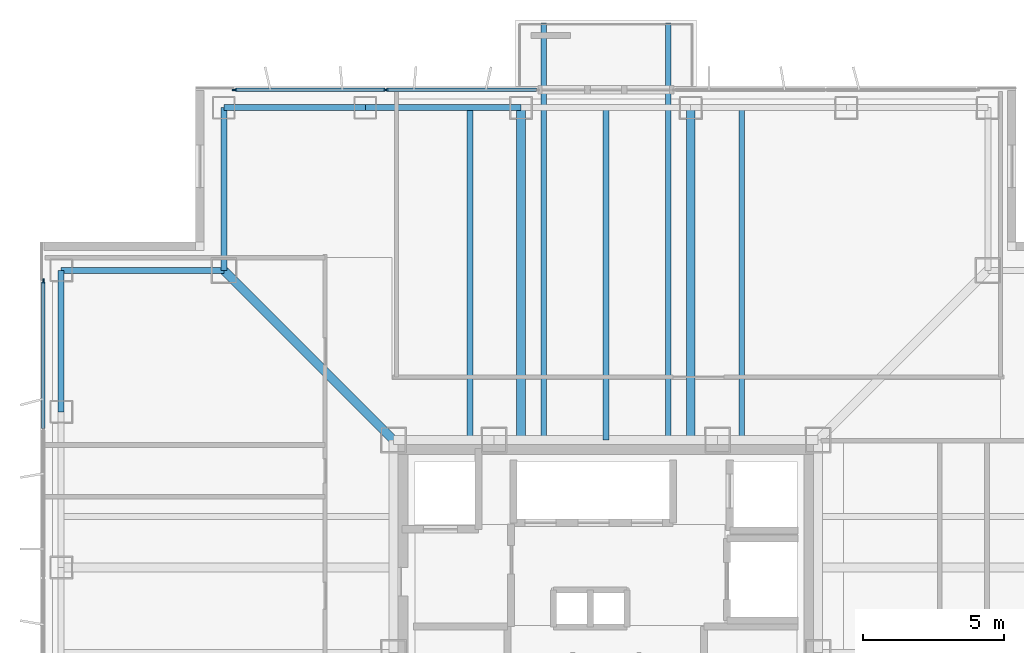
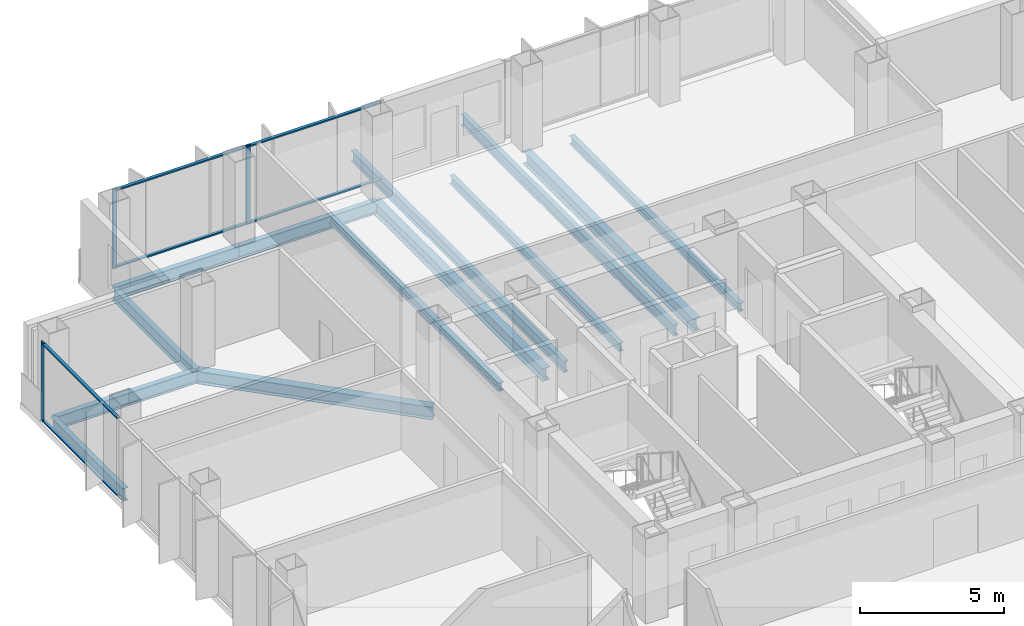
# One storey, part 6 of 13: 13 beams, 9 members, 2 elements without a shape of their own.
"""IFC4 building model written with IfcOpenShell, lengths in metres."""

from ifc_helpers import new_model, si_unit, direction, frame, origin, origin_2d, place, context, subcontext, project, spatial, rectangle, i_section, extrude, material, layer, layer_set, material_profile, profile_set, type_object, element, aggregate, save


model = new_model("IFC4")

# Units and contexts
model_context = context("Model", 3, precision=1e-05, world=origin(), true_north=direction((0.0, 1.0)))
body_context = subcontext(model_context, "Body", "Model", "MODEL_VIEW")
ifc_project = project(units=[si_unit("LENGTHUNIT", "METRE"), si_unit("AREAUNIT", "SQUARE_METRE"), si_unit("VOLUMEUNIT", "CUBIC_METRE"), si_unit("PLANEANGLEUNIT", "RADIAN"), si_unit("MASSUNIT", "GRAM", prefix="KILO")], contexts=[model_context])

# Site, building, storey
site_placement = place(None, origin())
site = spatial("IfcSite", under=ifc_project, at=site_placement, CompositionType="ELEMENT")
building_placement = place(site_placement, origin())
building = spatial("IfcBuilding", under=site, at=building_placement, Name="Trevonay Congress Spire", CompositionType="ELEMENT")
storey_placement = place(building_placement, frame((0.0, 0.0, 205.800048828125)))
storey = spatial("IfcBuildingStorey", under=building, at=storey_placement, Name="L53", CompositionType="ELEMENT", Elevation=205.800048828125)

# Beams
ifc_material_1 = material(Name="Steel ASTM A572 Grade 50", Category="steel")
ifc_material_profile_1 = material_profile(ifc_material_1, i_section(OverallWidth=0.194091796875, OverallDepth=0.468994140625, WebThickness=0.011474609375, FlangeThickness=0.01953125, FilletRadius=0.013916015625, at=origin_2d()), Name="W460x106")
ifc_profile_set_1 = profile_set([ifc_material_profile_1], Name="Steel ASTM A572 Grade 50")
beam_type_1 = type_object("IfcBeamType", Name="BM-BAL-LOOKOUT", PredefinedType="BEAM", material=ifc_profile_set_1)
for number, where, z_axis, x_axis, name in (
    (1, (-2.199951171875, 7.5, -0.474609375), (0.0, 1.0, 0.0), (-1.0, 0.0, 0.0), "L53 structural beam LKT-L53-N1"),
    (2, (2.199951171875, 7.5, -0.474609375), (0.0, 1.0, 0.0), (-1.0, 0.0, 0.0), "L53 structural beam LKT-L53-N2"),
):
    element("IfcBeam", number, at=place(storey_placement, frame(where, z_axis=z_axis, x_axis=x_axis)), inside=storey, type_object=beam_type_1, Name=name, PredefinedType="BEAM", context=body_context, shape_type="SweptSolid", body=[
        extrude(i_section(OverallWidth=0.194091796875, OverallDepth=0.468994140625, WebThickness=0.011474609375, FlangeThickness=0.01953125, FilletRadius=0.013916015625, at=origin_2d()), origin(), (0.0, 0.0, 1.0), 14.75),
    ])
ifc_material_profile_2 = material_profile(ifc_material_1, i_section(OverallWidth=0.31201171875, OverallDepth=0.54296875, WebThickness=0.0126953125, FlangeThickness=0.020263671875, FilletRadius=0.014892578125, at=origin_2d()), Name="W530x150")
ifc_profile_set_2 = profile_set([ifc_material_profile_2], Name="Steel ASTM A572 Grade 50")
beam_type_2 = type_object("IfcBeamType", Name="BM-GIRD-W530X150", PredefinedType="BEAM", material=ifc_profile_set_2)
beam_1_placement = place(storey_placement, frame((-7.5, 7.5, -0.511474609375), z_axis=(-0.707106781187, 0.707106781187, 0.0), x_axis=(-0.707106781187, -0.707106781187, 0.0)))
element("IfcBeam", 3, at=beam_1_placement, inside=storey, type_object=beam_type_2, Name="L53 structural beam BM-L53-CDNW", PredefinedType="BEAM", context=body_context, shape_type="SweptSolid", body=[
    extrude(i_section(OverallWidth=0.31201171875, OverallDepth=0.54296875, WebThickness=0.0126953125, FlangeThickness=0.020263671875, FilletRadius=0.014892578125, at=origin_2d()), origin(), (0.0, 0.0, 1.0), 8.4853515625),
])
for number, where, z_axis, x_axis, name in (
    (4, (-3.0, 7.5, -0.511474609375), (0.0, 1.0, 0.0), (-1.0, 0.0, 0.0), "L53 structural beam BM-L53-GN-M"),
    (5, (3.0, 7.5, -0.511474609375), (0.0, 1.0, 0.0), (-1.0, 0.0, 0.0), "L53 structural beam BM-L53-GN-P"),
):
    element("IfcBeam", number, at=place(storey_placement, frame(where, z_axis=z_axis, x_axis=x_axis)), inside=storey, type_object=beam_type_2, Name=name, PredefinedType="BEAM", context=body_context, shape_type="SweptSolid", body=[
        extrude(i_section(OverallWidth=0.31201171875, OverallDepth=0.54296875, WebThickness=0.0126953125, FlangeThickness=0.020263671875, FilletRadius=0.014892578125, at=origin_2d()), origin(), (0.0, 0.0, 1.0), 11.75),
    ])
ifc_material_profile_3 = material_profile(ifc_material_1, i_section(OverallWidth=0.2119140625, OverallDepth=0.5439453125, WebThickness=0.01318359375, FlangeThickness=0.021240234375, FilletRadius=0.014892578125, at=origin_2d()), Name="W530x123")
ifc_profile_set_3 = profile_set([ifc_material_profile_3], Name="Steel ASTM A572 Grade 50")
beam_type_3 = type_object("IfcBeamType", Name="BM-RING-W530X123", PredefinedType="BEAM", material=ifc_profile_set_3)
beam_2_placement = place(storey_placement, frame((-13.5, 19.25, -0.511962890625), z_axis=(1.0, 0.0, 0.0), x_axis=(0.0, 1.0, 0.0)))
element("IfcBeam", 6, at=beam_2_placement, inside=storey, type_object=beam_type_3, Name="L53 structural beam BM-L53-PN1", PredefinedType="BEAM", context=body_context, shape_type="SweptSolid", body=[
    extrude(i_section(OverallWidth=0.2119140625, OverallDepth=0.5439453125, WebThickness=0.01318359375, FlangeThickness=0.021240234375, FilletRadius=0.014892578125, at=origin_2d()), origin(), (0.0, 0.0, 1.0), 5.0),
])
beam_3_placement = place(storey_placement, frame((-8.5, 19.25, -0.511962890625), z_axis=(1.0, 0.0, 0.0), x_axis=(0.0, 1.0, 0.0)))
element("IfcBeam", 7, at=beam_3_placement, inside=storey, type_object=beam_type_3, Name="L53 structural beam BM-L53-PN2", PredefinedType="BEAM", context=body_context, shape_type="SweptSolid", body=[
    extrude(i_section(OverallWidth=0.2119140625, OverallDepth=0.5439453125, WebThickness=0.01318359375, FlangeThickness=0.021240234375, FilletRadius=0.014892578125, at=origin_2d()), origin(), (0.0, 0.0, 1.0), 5.5),
])
beam_4_placement = place(storey_placement, frame((-19.25, 8.5, -0.511962890625), z_axis=(0.0, 1.0, 0.0), x_axis=(-1.0, 0.0, 0.0)))
element("IfcBeam", 8, at=beam_4_placement, inside=storey, type_object=beam_type_3, Name="L53 structural beam BM-L53-PW5", PredefinedType="BEAM", context=body_context, shape_type="SweptSolid", body=[
    extrude(i_section(OverallWidth=0.2119140625, OverallDepth=0.5439453125, WebThickness=0.01318359375, FlangeThickness=0.021240234375, FilletRadius=0.014892578125, at=origin_2d()), origin(), (0.0, 0.0, 1.0), 5.0),
])
for number, where, z_axis, x_axis, name in (
    (9, (-13.5, 19.25, -0.511962890625), (0.0, -1.0, 0.0), (1.0, 0.0, 0.0), "L53 structural beam BM-L53-N1NW"),
    (10, (-19.25, 13.5, -0.511962890625), (1.0, 0.0, 0.0), (0.0, 1.0, 0.0), "L53 structural beam BM-L53-N2NW"),
):
    element("IfcBeam", number, at=place(storey_placement, frame(where, z_axis=z_axis, x_axis=x_axis)), inside=storey, type_object=beam_type_3, Name=name, PredefinedType="BEAM", context=body_context, shape_type="SweptSolid", body=[
        extrude(i_section(OverallWidth=0.2119140625, OverallDepth=0.5439453125, WebThickness=0.01318359375, FlangeThickness=0.021240234375, FilletRadius=0.014892578125, at=origin_2d()), origin(), (0.0, 0.0, 1.0), 5.75),
    ])

# Curtain wall, members
ifc_material_2 = material(Name="Pale Anodised Aluminium EN AW-6063-T6", Category="aluminium")
ifc_layer = layer(ifc_material_2, 0.169921875, Name="Pale Anodised Aluminium EN AW-6063-T6")
ifc_layer_set = layer_set([ifc_layer], Name="Pale Anodised Aluminium EN AW-6063-T6")
curtain_wall_type = type_object("IfcCurtainWallType", Name="CW-SYS04-CORP-PALE-METAL", PredefinedType="NOTDEFINED", material=ifc_layer_set)
curtain_wall_1_placement = place(storey_placement, origin())
curtain_wall_1 = element("IfcCurtainWall", 11, at=curtain_wall_1_placement, inside=storey, type_object=curtain_wall_type, Name="L53 NA unitised curtain wall", PredefinedType="NOTDEFINED")
ifc_material_profile_4 = material_profile(ifc_material_2, rectangle(XDim=0.06005859375, YDim=0.159912109375, at=origin_2d()), Name="CW-MULLION-160-ALUMINIUM")
ifc_profile_set_4 = profile_set([ifc_material_profile_4], Name="Pale Anodised Aluminium EN AW-6063-T6")
member_type_1 = type_object("IfcMemberType", Name="CW-MULLION-160-ALUMINIUM", PredefinedType="MULLION", material=ifc_profile_set_4)
member_1_placement = place(storey_placement, frame((-13.1201171875, 19.8798828125, 0.0), z_axis=(0.0, 0.0, 1.0), x_axis=(0.0, 1.0, 0.0)))
member_1 = element("IfcMember", 12, at=member_1_placement, type_object=member_type_1, Name="CW04 mullion 1", PredefinedType="MULLION", context=body_context, shape_type="SweptSolid", body=[
    extrude(rectangle(XDim=0.06005859375, YDim=0.159912109375, at=origin_2d()), origin(), (0.0, 0.0, 1.0), 3.35986328125),
])
member_2_placement = place(storey_placement, frame((-7.77490234375, 19.8798828125, 0.0), z_axis=(0.0, 0.0, 1.0), x_axis=(0.0, 1.0, 0.0)))
member_2 = element("IfcMember", 13, at=member_2_placement, type_object=member_type_1, Name="CW04 mullion 2", PredefinedType="MULLION", context=body_context, shape_type="SweptSolid", body=[
    extrude(rectangle(XDim=0.06005859375, YDim=0.159912109375, at=origin_2d()), origin(), (0.0, 0.0, 1.0), 3.35986328125),
])

# Curtain wall, member
curtain_wall_2_placement = place(storey_placement, origin())
curtain_wall_2 = element("IfcCurtainWall", 14, at=curtain_wall_2_placement, inside=storey, type_object=curtain_wall_type, Name="L53 W unitised curtain wall", PredefinedType="NOTDEFINED")
member_3_placement = place(storey_placement, frame((-19.8798828125, 13.1201171875, 0.0), z_axis=(0.0, 0.0, 1.0), x_axis=(-1.0, 0.0, 0.0)))
member_3 = element("IfcMember", 15, at=member_3_placement, type_object=member_type_1, Name="CW04 mullion 6", PredefinedType="MULLION", context=body_context, shape_type="SweptSolid", body=[
    extrude(rectangle(XDim=0.06005859375, YDim=0.159912109375, at=origin_2d()), origin(), (0.0, 0.0, 1.0), 3.35986328125),
])

# Member
ifc_material_profile_5 = material_profile(ifc_material_2, rectangle(XDim=0.1201171875, YDim=0.06005859375, at=origin_2d()), Name="CW-TRANSOM-120-ALUMINIUM")
ifc_profile_set_5 = profile_set([ifc_material_profile_5], Name="Pale Anodised Aluminium EN AW-6063-T6")
member_type_2 = type_object("IfcMemberType", Name="CW-TRANSOM-120-ALUMINIUM", PredefinedType="USERDEFINED", material=ifc_profile_set_5)
member_4_placement = place(storey_placement, frame((-13.090087890625, 19.8798828125, 0.06005859375), z_axis=(1.0, 0.0, 0.0), x_axis=(0.0, 1.0, 0.0)))
member_4 = element("IfcMember", 16, at=member_4_placement, type_object=member_type_2, Name="CW04 transom 1.1", ObjectType="TRANSOM", PredefinedType="USERDEFINED", context=body_context, shape_type="SweptSolid", body=[
    extrude(rectangle(XDim=0.1201171875, YDim=0.06005859375, at=origin_2d()), origin(), (0.0, 0.0, 1.0), 5.28515625),
])

member_5_placement = place(storey_placement, frame((-13.090087890625, 19.8798828125, 3.300048828125), z_axis=(1.0, 0.0, 0.0), x_axis=(0.0, 1.0, 0.0)))
member_5 = element("IfcMember", 17, at=member_5_placement, type_object=member_type_2, Name="CW04 transom 1.2", ObjectType="TRANSOM", PredefinedType="USERDEFINED", context=body_context, shape_type="SweptSolid", body=[
    extrude(rectangle(XDim=0.1201171875, YDim=0.06005859375, at=origin_2d()), origin(), (0.0, 0.0, 1.0), 5.28515625),
])

member_6_placement = place(storey_placement, frame((-7.7451171875, 19.8798828125, 0.06005859375), z_axis=(1.0, 0.0, 0.0), x_axis=(0.0, 1.0, 0.0)))
member_6 = element("IfcMember", 18, at=member_6_placement, type_object=member_type_2, Name="CW04 transom 2.1", ObjectType="TRANSOM", PredefinedType="USERDEFINED", context=body_context, shape_type="SweptSolid", body=[
    extrude(rectangle(XDim=0.1201171875, YDim=0.06005859375, at=origin_2d()), origin(), (0.0, 0.0, 1.0), 5.28515625),
])

member_7_placement = place(storey_placement, frame((-7.7451171875, 19.8798828125, 3.300048828125), z_axis=(1.0, 0.0, 0.0), x_axis=(0.0, 1.0, 0.0)))
member_7 = element("IfcMember", 19, at=member_7_placement, type_object=member_type_2, Name="CW04 transom 2.2", ObjectType="TRANSOM", PredefinedType="USERDEFINED", context=body_context, shape_type="SweptSolid", body=[
    extrude(rectangle(XDim=0.1201171875, YDim=0.06005859375, at=origin_2d()), origin(), (0.0, 0.0, 1.0), 5.28515625),
])

aggregate(curtain_wall_1, [member_1, member_2, member_4, member_5, member_6, member_7])

member_8_placement = place(storey_placement, frame((-19.8798828125, 7.919921875, 0.06005859375), z_axis=(0.0, 1.0, 0.0), x_axis=(-1.0, 0.0, 0.0)))
member_8 = element("IfcMember", 20, at=member_8_placement, type_object=member_type_2, Name="CW04 transom 5.1", ObjectType="TRANSOM", PredefinedType="USERDEFINED", context=body_context, shape_type="SweptSolid", body=[
    extrude(rectangle(XDim=0.1201171875, YDim=0.06005859375, at=origin_2d()), origin(), (0.0, 0.0, 1.0), 5.170166015625),
])

member_9_placement = place(storey_placement, frame((-19.8798828125, 7.919921875, 3.300048828125), z_axis=(0.0, 1.0, 0.0), x_axis=(-1.0, 0.0, 0.0)))
member_9 = element("IfcMember", 21, at=member_9_placement, type_object=member_type_2, Name="CW04 transom 5.2", ObjectType="TRANSOM", PredefinedType="USERDEFINED", context=body_context, shape_type="SweptSolid", body=[
    extrude(rectangle(XDim=0.1201171875, YDim=0.06005859375, at=origin_2d()), origin(), (0.0, 0.0, 1.0), 5.170166015625),
])

aggregate(curtain_wall_2, [member_3, member_8, member_9])

# Beams
ifc_material_profile_6 = material_profile(ifc_material_1, i_section(OverallWidth=0.205078125, OverallDepth=0.35400390625, WebThickness=0.009521484375, FlangeThickness=0.016845703125, FilletRadius=0.011962890625, at=origin_2d()), Name="W360x79")
ifc_profile_set_6 = profile_set([ifc_material_profile_6], Name="Steel ASTM A572 Grade 50")
beam_type_4 = type_object("IfcBeamType", Name="JS-COMP-W360X79", PredefinedType="JOIST", material=ifc_profile_set_6)
for number, where, z_axis, x_axis, name in (
    (22, (-4.800048828125, 7.5, -0.4169921875), (0.0, 1.0, 0.0), (-1.0, 0.0, 0.0), "L53 structural beam JS-L53-NS-N1"),
    (23, (0.0, 7.5, -0.4169921875), (0.0, 1.0, 0.0), (-1.0, 0.0, 0.0), "L53 structural beam JS-L53-NS-N2"),
    (24, (4.800048828125, 7.5, -0.4169921875), (0.0, 1.0, 0.0), (-1.0, 0.0, 0.0), "L53 structural beam JS-L53-NS-N3"),
):
    element("IfcBeam", number, at=place(storey_placement, frame(where, z_axis=z_axis, x_axis=x_axis)), inside=storey, type_object=beam_type_4, Name=name, PredefinedType="JOIST", context=body_context, shape_type="SweptSolid", body=[
        extrude(i_section(OverallWidth=0.205078125, OverallDepth=0.35400390625, WebThickness=0.009521484375, FlangeThickness=0.016845703125, FilletRadius=0.011962890625, at=origin_2d()), origin(), (0.0, 0.0, 1.0), 11.75),
    ])

save(model, "model.ifc")
